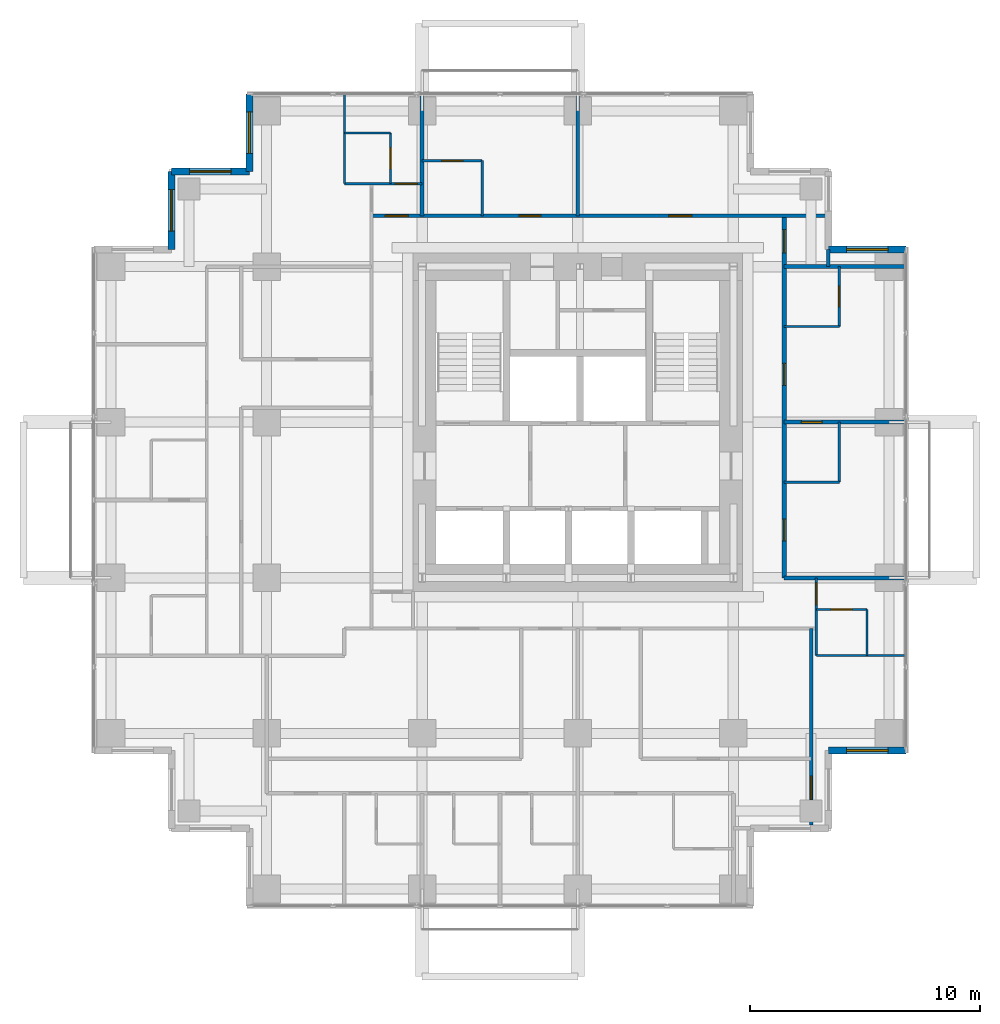
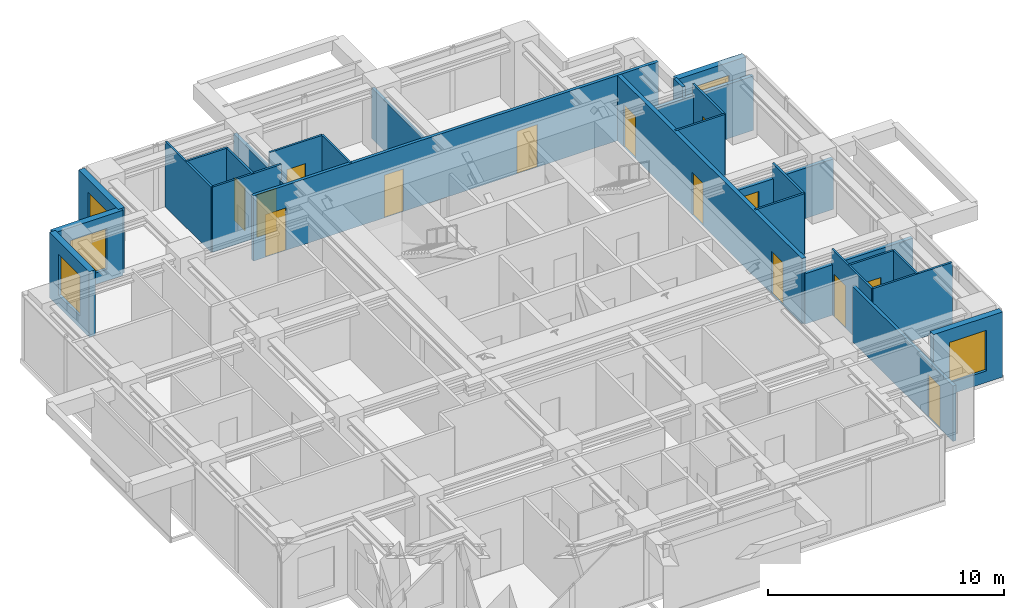
# One storey, part 8 of 10: 28 walls, 14 doors, 5 windows, 19 openings.
"""IFC4 building model written with IfcOpenShell, lengths in metres."""

from ifc_helpers import new_model, si_unit, direction, frame, frame_2d, origin, place, context, subcontext, project, spatial, rectangle, extrude, material, layer, layer_set, type_object, element, fill, save


model = new_model("IFC4")

# Units and contexts
model_context = context("Model", 3, precision=1e-05, world=origin(), true_north=direction((0.0, 1.0)))
body_context = subcontext(model_context, "Body", "Model", "MODEL_VIEW")
ifc_project = project(units=[si_unit("LENGTHUNIT", "METRE"), si_unit("AREAUNIT", "SQUARE_METRE"), si_unit("VOLUMEUNIT", "CUBIC_METRE"), si_unit("PLANEANGLEUNIT", "RADIAN"), si_unit("MASSUNIT", "GRAM", prefix="KILO")], contexts=[model_context])

# Site, building, storey
site_placement = place(None, origin())
site = spatial("IfcSite", under=ifc_project, at=site_placement, CompositionType="ELEMENT")
building_placement = place(site_placement, origin())
building = spatial("IfcBuilding", under=site, at=building_placement, Name="Nyansa Garden Tower", CompositionType="ELEMENT")
storey_placement = place(building_placement, frame((0.0, 0.0, 174.60009765625)))
storey = spatial("IfcBuildingStorey", under=building, at=storey_placement, Name="L47", CompositionType="ELEMENT", Elevation=174.60009765625)

# Walls
ifc_material_1 = material(Name="Dense blockwork, plastered both sides, 55 dB", Category="masonry")
ifc_layer_1 = layer(ifc_material_1, 0.175048828125)
ifc_layer_set_1 = layer_set([ifc_layer_1], Name="Acoustic party wall PW175")
wall_type_1 = type_object("IfcWallType", Name="Acoustic party wall PW175", PredefinedType="PARTITIONING", material=ifc_layer_set_1)
for number, where, z_axis, x_axis, name in (
    (1, (13.5, 29.199951171875, 0.0), (0.0, 0.0, 1.0), (0.0, 1.0, 0.0), "Party wall"),
    (2, (29.199951171875, 13.5, 0.0), (0.0, 0.0, 1.0), (1.0, 0.0, 0.0), "Party wall"),
):
    element("IfcWall", number, at=place(storey_placement, frame(where, z_axis=z_axis, x_axis=x_axis)), inside=storey, type_object=wall_type_1, Name=name, PredefinedType="PARTITIONING", context=body_context, shape_type="SweptSolid", body=[
        extrude(rectangle(XDim=5.283935546875, YDim=0.175048828125, at=frame_2d((2.64208984375, 0.0))), origin(), (0.0, 0.0, 1.0), 2.60986328125),
    ])

# Wall, opening, door
wall_1_placement = place(storey_placement, frame((29.199951171875, 20.25, 0.0), z_axis=(0.0, 0.0, 1.0), x_axis=(1.0, 0.0, 0.0)))
wall_1 = element("IfcWall", 3, at=wall_1_placement, inside=storey, type_object=wall_type_1, Name="Party wall", PredefinedType="PARTITIONING", context=body_context, shape_type="SweptSolid", body=[
    extrude(rectangle(XDim=5.283935546875, YDim=0.175048828125, at=frame_2d((2.64208984375, 0.0))), origin(), (0.0, 0.0, 1.0), 2.60986328125),
])
opening_1_placement = place(wall_1_placement, frame((0.75, 0.0, 0.0)))
opening_1 = element("IfcOpeningElement", 4, at=opening_1_placement, cuts=wall_1, Name="Opening D02", PredefinedType="OPENING", context=body_context, shape_type="SweptSolid", body=[
    extrude(rectangle(XDim=0.89990234375, YDim=2.199951171875, at=frame_2d((0.449951171875, 1.10009765625))), frame((0.0, 0.097412109375, 0.0), z_axis=(0.0, -1.0, 0.0), x_axis=(1.0, 0.0, 0.0)), (0.0, 0.0, 1.0), 0.195068359375),
])
ifc_material_2 = material(Name="Timber flush door", Category="wood")
door_type_1 = type_object("IfcDoorType", Name="En-suite door D02 900x2200", OperationType="SINGLE_SWING_RIGHT", PredefinedType="DOOR", material=ifc_material_2)
door_1_placement = place(opening_1_placement, origin())
door_1 = element("IfcDoor", 5, at=door_1_placement, inside=storey, type_object=door_type_1, Name="Door L47-035", OperationType="SINGLE_SWING_RIGHT", OverallHeight=2.199951171875, OverallWidth=0.89990234375, PredefinedType="DOOR", context=body_context, shape_type="SweptSolid", body=[
    extrude(rectangle(XDim=0.89990234375, YDim=2.199951171875, at=frame_2d((0.449951171875, 1.10009765625))), frame((0.0, 0.02490234375, 0.0), z_axis=(0.0, -1.0, 0.0), x_axis=(1.0, 0.0, 0.0)), (0.0, 0.0, 1.0), 0.050048828125),
])
fill(opening_1, door_1)

# Wall
wall_2_placement = place(storey_placement, frame((29.199951171875, 27.0, 0.0), z_axis=(0.0, 0.0, 1.0), x_axis=(1.0, 0.0, 0.0)))
element("IfcWall", 6, at=wall_2_placement, inside=storey, type_object=wall_type_1, Name="Party wall", PredefinedType="PARTITIONING", context=body_context, shape_type="SweptSolid", body=[
    extrude(rectangle(XDim=5.283935546875, YDim=0.175048828125, at=frame_2d((2.64208984375, 0.0))), origin(), (0.0, 0.0, 1.0), 2.805908203125),
])

# Wall, openings, doors
ifc_material_3 = material(Name="Concrete blockwork, plastered, 60 minute fire resisting", Category="masonry")
ifc_layer_2 = layer(ifc_material_3, 0.199951171875)
ifc_layer_set_2 = layer_set([ifc_layer_2], Name="Corridor wall FW200")
wall_type_2 = type_object("IfcWallType", Name="Corridor wall FW200", PredefinedType="PARTITIONING", material=ifc_layer_set_2)
wall_3_placement = place(storey_placement, frame((29.199951171875, 13.5, 0.0), z_axis=(0.0, 0.0, 1.0), x_axis=(0.0, 1.0, 0.0)))
wall_3 = element("IfcWall", 7, at=wall_3_placement, inside=storey, type_object=wall_type_2, Name="Corridor wall", PredefinedType="PARTITIONING", context=body_context, shape_type="SweptSolid", body=[
    extrude(rectangle(XDim=15.699951171875, YDim=0.199951171875, at=frame_2d((7.85009765625, 0.0))), origin(), (0.0, 0.0, 1.0), 3.375),
])
opening_2_placement = place(wall_3_placement, frame((8.35009765625, 0.0, 0.0)))
opening_2 = element("IfcOpeningElement", 8, at=opening_2_placement, cuts=wall_3, Name="Opening D14", PredefinedType="OPENING", context=body_context, shape_type="SweptSolid", body=[
    extrude(rectangle(XDim=0.949951171875, YDim=2.199951171875, at=frame_2d((0.47509765625, 1.10009765625))), frame((0.0, 0.10986328125, 0.0), z_axis=(0.0, -1.0, 0.0), x_axis=(1.0, 0.0, 0.0)), (0.0, 0.0, 1.0), 0.219970703125),
])
opening_3_placement = place(wall_3_placement, frame((1.60009765625, 0.0, 0.0)))
opening_3 = element("IfcOpeningElement", 9, at=opening_3_placement, cuts=wall_3, Name="Opening D14", PredefinedType="OPENING", context=body_context, shape_type="SweptSolid", body=[
    extrude(rectangle(XDim=0.949951171875, YDim=2.199951171875, at=frame_2d((0.47509765625, 1.10009765625))), frame((0.0, 0.10986328125, 0.0), z_axis=(0.0, -1.0, 0.0), x_axis=(1.0, 0.0, 0.0)), (0.0, 0.0, 1.0), 0.219970703125),
])
opening_4_placement = place(wall_3_placement, frame((14.10009765625, 0.0, 0.0)))
opening_4 = element("IfcOpeningElement", 10, at=opening_4_placement, cuts=wall_3, Name="Opening D03", PredefinedType="OPENING", context=body_context, shape_type="SweptSolid", body=[
    extrude(rectangle(XDim=1.0, YDim=2.199951171875, at=frame_2d((0.5, 1.10009765625))), frame((0.0, 0.10986328125, 0.0), z_axis=(0.0, -1.0, 0.0), x_axis=(1.0, 0.0, 0.0)), (0.0, 0.0, 1.0), 0.219970703125),
])
ifc_material_4 = material(Name="Timber flush door, 60 minute fire resisting", Category="wood")
door_type_2 = type_object("IfcDoorType", Name="Cluster entrance door D03 1000x2200", OperationType="SINGLE_SWING_LEFT", PredefinedType="DOOR", material=ifc_material_4)
door_2_placement = place(opening_4_placement, origin())
door_2 = element("IfcDoor", 11, at=door_2_placement, inside=storey, type_object=door_type_2, Name="Door L47-038", OperationType="SINGLE_SWING_LEFT", OverallHeight=2.199951171875, OverallWidth=1.0, PredefinedType="DOOR", context=body_context, shape_type="SweptSolid", body=[
    extrude(rectangle(XDim=1.0, YDim=2.199951171875, at=frame_2d((0.5, 1.10009765625))), frame((0.0, 0.02490234375, 0.0), z_axis=(0.0, -1.0, 0.0), x_axis=(1.0, 0.0, 0.0)), (0.0, 0.0, 1.0), 0.050048828125),
])
fill(opening_4, door_2)
ifc_material_5 = material(Name="Timber flush door, 60 minute fire resisting, self-closing", Category="wood")
door_type_3 = type_object("IfcDoorType", Name="Studio entrance door D14 950x2200", OperationType="SINGLE_SWING_LEFT", PredefinedType="DOOR", material=ifc_material_5)
door_3_placement = place(opening_2_placement, origin())
door_3 = element("IfcDoor", 12, at=door_3_placement, inside=storey, type_object=door_type_3, Name="Door L47-032", OperationType="SINGLE_SWING_LEFT", OverallHeight=2.199951171875, OverallWidth=0.949951171875, PredefinedType="DOOR", context=body_context, shape_type="SweptSolid", body=[
    extrude(rectangle(XDim=0.949951171875, YDim=2.199951171875, at=frame_2d((0.47509765625, 1.10009765625))), frame((0.0, 0.02490234375, 0.0), z_axis=(0.0, -1.0, 0.0), x_axis=(1.0, 0.0, 0.0)), (0.0, 0.0, 1.0), 0.050048828125),
])
fill(opening_2, door_3)
door_4_placement = place(opening_3_placement, origin())
door_4 = element("IfcDoor", 13, at=door_4_placement, inside=storey, type_object=door_type_3, Name="Door L47-034", OperationType="SINGLE_SWING_LEFT", OverallHeight=2.199951171875, OverallWidth=0.949951171875, PredefinedType="DOOR", context=body_context, shape_type="SweptSolid", body=[
    extrude(rectangle(XDim=0.949951171875, YDim=2.199951171875, at=frame_2d((0.47509765625, 1.10009765625))), frame((0.0, 0.02490234375, 0.0), z_axis=(0.0, -1.0, 0.0), x_axis=(1.0, 0.0, 0.0)), (0.0, 0.0, 1.0), 0.050048828125),
])
fill(opening_3, door_4)

ifc_material_6 = material(Name="Blockwork, plastered both sides", Category="masonry")
ifc_layer_3 = layer(ifc_material_6, 0.14990234375)
ifc_layer_set_3 = layer_set([ifc_layer_3], Name="Partition PW150")
wall_type_3 = type_object("IfcWallType", Name="Partition PW150", PredefinedType="PARTITIONING", material=ifc_layer_set_3)
wall_4_placement = place(storey_placement, frame((11.300048828125, 29.199951171875, 0.0), z_axis=(0.0, 0.0, 1.0), x_axis=(1.0, 0.0, 0.0)))
wall_4 = element("IfcWall", 14, at=wall_4_placement, inside=storey, type_object=wall_type_3, Name="Partition", PredefinedType="PARTITIONING", context=body_context, shape_type="SweptSolid", body=[
    extrude(rectangle(XDim=19.808837890625, YDim=0.14990234375, at=frame_2d((9.904296875, 0.0))), origin(), (0.0, 0.0, 1.0), 3.375),
])
opening_5_placement = place(wall_4_placement, frame((12.89990234375, 0.0, 0.0)))
opening_5 = element("IfcOpeningElement", 15, at=opening_5_placement, cuts=wall_4, Name="Opening D03", PredefinedType="OPENING", context=body_context, shape_type="SweptSolid", body=[
    extrude(rectangle(XDim=1.0, YDim=2.199951171875, at=frame_2d((0.5, 1.10009765625))), frame((0.0, 0.0849609375, 0.0), z_axis=(0.0, -1.0, 0.0), x_axis=(1.0, 0.0, 0.0)), (0.0, 0.0, 1.0), 0.169921875),
])
opening_6_placement = place(wall_4_placement, frame((6.39990234375, 0.0, 0.0)))
opening_6 = element("IfcOpeningElement", 16, at=opening_6_placement, cuts=wall_4, Name="Opening D14", PredefinedType="OPENING", context=body_context, shape_type="SweptSolid", body=[
    extrude(rectangle(XDim=0.949951171875, YDim=2.199951171875, at=frame_2d((0.47509765625, 1.10009765625))), frame((0.0, 0.0849609375, 0.0), z_axis=(0.0, -1.0, 0.0), x_axis=(1.0, 0.0, 0.0)), (0.0, 0.0, 1.0), 0.169921875),
])
opening_7_placement = place(wall_4_placement, frame((0.60009765625, 0.0, 0.0)))
opening_7 = element("IfcOpeningElement", 17, at=opening_7_placement, cuts=wall_4, Name="Opening D03", PredefinedType="OPENING", context=body_context, shape_type="SweptSolid", body=[
    extrude(rectangle(XDim=1.0, YDim=2.199951171875, at=frame_2d((0.5, 1.10009765625))), frame((0.0, 0.0849609375, 0.0), z_axis=(0.0, -1.0, 0.0), x_axis=(1.0, 0.0, 0.0)), (0.0, 0.0, 1.0), 0.169921875),
])
door_5_placement = place(opening_5_placement, origin())
door_5 = element("IfcDoor", 18, at=door_5_placement, inside=storey, type_object=door_type_2, Name="Door L47-039", OperationType="SINGLE_SWING_LEFT", OverallHeight=2.199951171875, OverallWidth=1.0, PredefinedType="DOOR", context=body_context, shape_type="SweptSolid", body=[
    extrude(rectangle(XDim=1.0, YDim=2.199951171875, at=frame_2d((0.5, 1.10009765625))), frame((0.0, 0.02490234375, 0.0), z_axis=(0.0, -1.0, 0.0), x_axis=(1.0, 0.0, 0.0)), (0.0, 0.0, 1.0), 0.050048828125),
])
fill(opening_5, door_5)
door_6_placement = place(opening_7_placement, origin())
door_6 = element("IfcDoor", 19, at=door_6_placement, inside=storey, type_object=door_type_2, Name="Door L47-044", OperationType="SINGLE_SWING_LEFT", OverallHeight=2.199951171875, OverallWidth=1.0, PredefinedType="DOOR", context=body_context, shape_type="SweptSolid", body=[
    extrude(rectangle(XDim=1.0, YDim=2.199951171875, at=frame_2d((0.5, 1.10009765625))), frame((0.0, 0.02490234375, 0.0), z_axis=(0.0, -1.0, 0.0), x_axis=(1.0, 0.0, 0.0)), (0.0, 0.0, 1.0), 0.050048828125),
])
fill(opening_7, door_6)
door_7_placement = place(opening_6_placement, origin())
door_7 = element("IfcDoor", 20, at=door_7_placement, inside=storey, type_object=door_type_3, Name="Door L47-040", OperationType="SINGLE_SWING_LEFT", OverallHeight=2.199951171875, OverallWidth=0.949951171875, PredefinedType="DOOR", context=body_context, shape_type="SweptSolid", body=[
    extrude(rectangle(XDim=0.949951171875, YDim=2.199951171875, at=frame_2d((0.47509765625, 1.10009765625))), frame((0.0, 0.02490234375, 0.0), z_axis=(0.0, -1.0, 0.0), x_axis=(1.0, 0.0, 0.0)), (0.0, 0.0, 1.0), 0.050048828125),
])
fill(opening_6, door_7)

# Wall
wall_5_placement = place(storey_placement, frame((20.25, 29.199951171875, 0.0), z_axis=(0.0, 0.0, 1.0), x_axis=(0.0, 1.0, 0.0)))
element("IfcWall", 21, at=wall_5_placement, inside=storey, type_object=wall_type_3, Name="Partition", PredefinedType="PARTITIONING", context=body_context, shape_type="SweptSolid", body=[
    extrude(rectangle(XDim=5.283935546875, YDim=0.14990234375, at=frame_2d((2.64208984375, 0.0))), origin(), (0.0, 0.0, 1.0), 2.60986328125),
])

# Wall, opening, door
wall_6_placement = place(storey_placement, frame((30.375, 2.77490234375, 0.0), z_axis=(0.0, 0.0, 1.0), x_axis=(0.0, 1.0, 0.0)))
wall_6 = element("IfcWall", 22, at=wall_6_placement, inside=storey, type_object=wall_type_3, Name="Partition", PredefinedType="PARTITIONING", context=body_context, shape_type="SweptSolid", body=[
    extrude(rectangle(XDim=8.525146484375, YDim=0.14990234375, at=frame_2d((4.2626953125, 0.0))), origin(), (0.0, 0.0, 1.0), 2.876953125),
])
opening_8_placement = place(wall_6_placement, frame((1.115966796875, 0.0, 0.0)))
opening_8 = element("IfcOpeningElement", 23, at=opening_8_placement, cuts=wall_6, Name="Opening D03", PredefinedType="OPENING", context=body_context, shape_type="SweptSolid", body=[
    extrude(rectangle(XDim=1.0, YDim=2.199951171875, at=frame_2d((0.5, 1.10009765625))), frame((0.0, 0.0849609375, 0.0), z_axis=(0.0, -1.0, 0.0), x_axis=(1.0, 0.0, 0.0)), (0.0, 0.0, 1.0), 0.169921875),
])
door_8_placement = place(opening_8_placement, origin())
door_8 = element("IfcDoor", 24, at=door_8_placement, inside=storey, type_object=door_type_2, Name="Door L47-031", OperationType="SINGLE_SWING_LEFT", OverallHeight=2.199951171875, OverallWidth=1.0, PredefinedType="DOOR", context=body_context, shape_type="SweptSolid", body=[
    extrude(rectangle(XDim=1.0, YDim=2.199951171875, at=frame_2d((0.5, 1.10009765625))), frame((0.0, 0.02490234375, 0.0), z_axis=(0.0, -1.0, 0.0), x_axis=(1.0, 0.0, 0.0)), (0.0, 0.0, 1.0), 0.050048828125),
])
fill(opening_8, door_8)

# Wall
wall_7_placement = place(storey_placement, frame((31.125, 27.0, 0.0), z_axis=(0.0, 0.0, 1.0), x_axis=(0.0, 1.0, 0.0)))
element("IfcWall", 25, at=wall_7_placement, inside=storey, type_object=wall_type_3, Name="Partition", PredefinedType="PARTITIONING", context=body_context, shape_type="SweptSolid", body=[
    extrude(rectangle(XDim=0.73388671875, YDim=0.14990234375, at=frame_2d((0.366943359375, 0.0))), origin(), (0.0, 0.0, 1.0), 3.375),
])

# Wall, opening, window
ifc_material_7 = material(Name="Turquoise glazed tile on concrete blockwork", Category="masonry")
ifc_layer_4 = layer(ifc_material_7, 0.300048828125)
ifc_layer_set_4 = layer_set([ifc_layer_4], Name="Tiled corner wall TW300")
wall_type_4 = type_object("IfcWallType", Name="Tiled corner wall TW300", PredefinedType="SOLIDWALL", material=ifc_layer_set_4)
wall_8_placement = place(storey_placement, frame((34.5, 27.75, 0.0), z_axis=(0.0, 0.0, 1.0), x_axis=(-1.0, 0.0, 0.0)))
wall_8 = element("IfcWall", 26, at=wall_8_placement, inside=storey, type_object=wall_type_4, Name="Tiled corner wall L47", PredefinedType="SOLIDWALL", context=body_context, shape_type="SweptSolid", body=[
    extrude(rectangle(XDim=3.375, YDim=0.300048828125, at=frame_2d((1.6875, 0.0))), origin(), (0.0, 0.0, 1.0), 3.375),
])
opening_9_placement = place(wall_8_placement, frame((0.78759765625, 0.0, 0.60009765625)))
opening_9 = element("IfcOpeningElement", 27, at=opening_9_placement, cuts=wall_8, Name="Opening W2", PredefinedType="OPENING", context=body_context, shape_type="SweptSolid", body=[
    extrude(rectangle(XDim=1.800048828125, YDim=2.10009765625, at=frame_2d((0.89990234375, 1.050048828125))), frame((0.0, 0.159912109375, 0.0), z_axis=(0.0, -1.0, 0.0), x_axis=(1.0, 0.0, 0.0)), (0.0, 0.0, 1.0), 0.320068359375),
])
ifc_material_8 = material(Name="Black aluminium frame, dark tinted double glazing", Category="aluminium")
window_type = type_object("IfcWindowType", Name="Window W2 1800x2100", PartitioningType="SINGLE_PANEL", PredefinedType="WINDOW", material=ifc_material_8)
window_1_placement = place(opening_9_placement, origin())
window_1 = element("IfcWindow", 28, at=window_1_placement, inside=storey, type_object=window_type, Name="Corner window L47", OverallHeight=2.10009765625, OverallWidth=1.800048828125, PartitioningType="SINGLE_PANEL", PredefinedType="WINDOW", context=body_context, shape_type="SweptSolid", body=[
    extrude(rectangle(XDim=1.800048828125, YDim=2.10009765625, at=frame_2d((0.89990234375, 1.050048828125))), frame((0.0, 0.030029296875, 0.0), z_axis=(0.0, -1.0, 0.0), x_axis=(1.0, 0.0, 0.0)), (0.0, 0.0, 1.0), 0.06005859375),
])
fill(opening_9, window_1)

wall_9_placement = place(storey_placement, frame((6.0, 34.5, 0.0), z_axis=(0.0, 0.0, 1.0), x_axis=(0.0, -1.0, 0.0)))
wall_9 = element("IfcWall", 29, at=wall_9_placement, inside=storey, type_object=wall_type_4, Name="Tiled corner wall L47", PredefinedType="SOLIDWALL", context=body_context, shape_type="SweptSolid", body=[
    extrude(rectangle(XDim=3.375, YDim=0.300048828125, at=frame_2d((1.6875, 0.0))), origin(), (0.0, 0.0, 1.0), 3.375),
])
opening_10_placement = place(wall_9_placement, frame((0.78759765625, 0.0, 0.60009765625)))
opening_10 = element("IfcOpeningElement", 30, at=opening_10_placement, cuts=wall_9, Name="Opening W2", PredefinedType="OPENING", context=body_context, shape_type="SweptSolid", body=[
    extrude(rectangle(XDim=1.800048828125, YDim=2.10009765625, at=frame_2d((0.89990234375, 1.050048828125))), frame((0.0, 0.159912109375, 0.0), z_axis=(0.0, -1.0, 0.0), x_axis=(1.0, 0.0, 0.0)), (0.0, 0.0, 1.0), 0.320068359375),
])
window_2_placement = place(opening_10_placement, origin())
window_2 = element("IfcWindow", 31, at=window_2_placement, inside=storey, type_object=window_type, Name="Corner window L47", OverallHeight=2.10009765625, OverallWidth=1.800048828125, PartitioningType="SINGLE_PANEL", PredefinedType="WINDOW", context=body_context, shape_type="SweptSolid", body=[
    extrude(rectangle(XDim=1.800048828125, YDim=2.10009765625, at=frame_2d((0.89990234375, 1.050048828125))), frame((0.0, 0.030029296875, 0.0), z_axis=(0.0, -1.0, 0.0), x_axis=(1.0, 0.0, 0.0)), (0.0, 0.0, 1.0), 0.06005859375),
])
fill(opening_10, window_2)

wall_10_placement = place(storey_placement, frame((6.0, 31.125, 0.0), z_axis=(0.0, 0.0, 1.0), x_axis=(-1.0, 0.0, 0.0)))
wall_10 = element("IfcWall", 32, at=wall_10_placement, inside=storey, type_object=wall_type_4, Name="Tiled corner wall L47", PredefinedType="SOLIDWALL", context=body_context, shape_type="SweptSolid", body=[
    extrude(rectangle(XDim=3.375, YDim=0.300048828125, at=frame_2d((1.6875, 0.0))), origin(), (0.0, 0.0, 1.0), 3.375),
])
opening_11_placement = place(wall_10_placement, frame((0.78759765625, 0.0, 0.60009765625)))
opening_11 = element("IfcOpeningElement", 33, at=opening_11_placement, cuts=wall_10, Name="Opening W2", PredefinedType="OPENING", context=body_context, shape_type="SweptSolid", body=[
    extrude(rectangle(XDim=1.800048828125, YDim=2.10009765625, at=frame_2d((0.89990234375, 1.050048828125))), frame((0.0, 0.159912109375, 0.0), z_axis=(0.0, -1.0, 0.0), x_axis=(1.0, 0.0, 0.0)), (0.0, 0.0, 1.0), 0.320068359375),
])
window_3_placement = place(opening_11_placement, origin())
window_3 = element("IfcWindow", 34, at=window_3_placement, inside=storey, type_object=window_type, Name="Corner window L47", OverallHeight=2.10009765625, OverallWidth=1.800048828125, PartitioningType="SINGLE_PANEL", PredefinedType="WINDOW", context=body_context, shape_type="SweptSolid", body=[
    extrude(rectangle(XDim=1.800048828125, YDim=2.10009765625, at=frame_2d((0.89990234375, 1.050048828125))), frame((0.0, 0.030029296875, 0.0), z_axis=(0.0, -1.0, 0.0), x_axis=(1.0, 0.0, 0.0)), (0.0, 0.0, 1.0), 0.06005859375),
])
fill(opening_11, window_3)

wall_11_placement = place(storey_placement, frame((2.625, 31.125, 0.0), z_axis=(0.0, 0.0, 1.0), x_axis=(0.0, -1.0, 0.0)))
wall_11 = element("IfcWall", 35, at=wall_11_placement, inside=storey, type_object=wall_type_4, Name="Tiled corner wall L47", PredefinedType="SOLIDWALL", context=body_context, shape_type="SweptSolid", body=[
    extrude(rectangle(XDim=3.375, YDim=0.300048828125, at=frame_2d((1.6875, 0.0))), origin(), (0.0, 0.0, 1.0), 3.375),
])
opening_12_placement = place(wall_11_placement, frame((0.78759765625, 0.0, 0.60009765625)))
opening_12 = element("IfcOpeningElement", 36, at=opening_12_placement, cuts=wall_11, Name="Opening W2", PredefinedType="OPENING", context=body_context, shape_type="SweptSolid", body=[
    extrude(rectangle(XDim=1.800048828125, YDim=2.10009765625, at=frame_2d((0.89990234375, 1.050048828125))), frame((0.0, 0.159912109375, 0.0), z_axis=(0.0, -1.0, 0.0), x_axis=(1.0, 0.0, 0.0)), (0.0, 0.0, 1.0), 0.320068359375),
])
window_4_placement = place(opening_12_placement, origin())
window_4 = element("IfcWindow", 37, at=window_4_placement, inside=storey, type_object=window_type, Name="Corner window L47", OverallHeight=2.10009765625, OverallWidth=1.800048828125, PartitioningType="SINGLE_PANEL", PredefinedType="WINDOW", context=body_context, shape_type="SweptSolid", body=[
    extrude(rectangle(XDim=1.800048828125, YDim=2.10009765625, at=frame_2d((0.89990234375, 1.050048828125))), frame((0.0, 0.030029296875, 0.0), z_axis=(0.0, -1.0, 0.0), x_axis=(1.0, 0.0, 0.0)), (0.0, 0.0, 1.0), 0.06005859375),
])
fill(opening_12, window_4)

wall_12_placement = place(storey_placement, frame((31.125, 6.0, 0.0), z_axis=(0.0, 0.0, 1.0), x_axis=(1.0, 0.0, 0.0)))
wall_12 = element("IfcWall", 38, at=wall_12_placement, inside=storey, type_object=wall_type_4, Name="Tiled corner wall L47", PredefinedType="SOLIDWALL", context=body_context, shape_type="SweptSolid", body=[
    extrude(rectangle(XDim=3.375, YDim=0.300048828125, at=frame_2d((1.6875, 0.0))), origin(), (0.0, 0.0, 1.0), 3.375),
])
opening_13_placement = place(wall_12_placement, frame((0.78759765625, 0.0, 0.60009765625)))
opening_13 = element("IfcOpeningElement", 39, at=opening_13_placement, cuts=wall_12, Name="Opening W2", PredefinedType="OPENING", context=body_context, shape_type="SweptSolid", body=[
    extrude(rectangle(XDim=1.800048828125, YDim=2.10009765625, at=frame_2d((0.89990234375, 1.050048828125))), frame((0.0, 0.159912109375, 0.0), z_axis=(0.0, -1.0, 0.0), x_axis=(1.0, 0.0, 0.0)), (0.0, 0.0, 1.0), 0.320068359375),
])
window_5_placement = place(opening_13_placement, origin())
window_5 = element("IfcWindow", 40, at=window_5_placement, inside=storey, type_object=window_type, Name="Corner window L47", OverallHeight=2.10009765625, OverallWidth=1.800048828125, PartitioningType="SINGLE_PANEL", PredefinedType="WINDOW", context=body_context, shape_type="SweptSolid", body=[
    extrude(rectangle(XDim=1.800048828125, YDim=2.10009765625, at=frame_2d((0.89990234375, 1.050048828125))), frame((0.0, 0.030029296875, 0.0), z_axis=(0.0, -1.0, 0.0), x_axis=(1.0, 0.0, 0.0)), (0.0, 0.0, 1.0), 0.06005859375),
])
fill(opening_13, window_5)

# Wall
ifc_material_9 = material(Name="Moisture resistant board on steel studs, tiled", Category="steel")
ifc_layer_5 = layer(ifc_material_9, 0.10009765625)
ifc_layer_set_5 = layer_set([ifc_layer_5], Name="Wet wall PW100")
wall_type_5 = type_object("IfcWallType", Name="Wet wall PW100", PredefinedType="PARTITIONING", material=ifc_layer_set_5)
wall_13_placement = place(storey_placement, frame((10.125, 30.60009765625, 0.0), z_axis=(0.0, 0.0, 1.0), x_axis=(0.0, 1.0, 0.0)))
element("IfcWall", 41, at=wall_13_placement, inside=storey, type_object=wall_type_5, Name="Wet wall", PredefinedType="PARTITIONING", context=body_context, shape_type="SweptSolid", body=[
    extrude(rectangle(XDim=3.8837890625, YDim=0.10009765625, at=frame_2d((1.94189453125, 0.0))), origin(), (0.0, 0.0, 1.0), 3.375),
])

# Wall, opening, door
wall_14_placement = place(storey_placement, frame((10.125, 30.60009765625, 0.0), z_axis=(0.0, 0.0, 1.0), x_axis=(1.0, 0.0, 0.0)))
wall_14 = element("IfcWall", 42, at=wall_14_placement, inside=storey, type_object=wall_type_5, Name="Wet wall", PredefinedType="PARTITIONING", context=body_context, shape_type="SweptSolid", body=[
    extrude(rectangle(XDim=3.375, YDim=0.10009765625, at=frame_2d((1.6875, 0.0))), origin(), (0.0, 0.0, 1.0), 3.375),
])
opening_14_placement = place(wall_14_placement, frame((2.199951171875, 0.0, 0.0)))
opening_14 = element("IfcOpeningElement", 43, at=opening_14_placement, cuts=wall_14, Name="Opening D14", PredefinedType="OPENING", context=body_context, shape_type="SweptSolid", body=[
    extrude(rectangle(XDim=0.949951171875, YDim=2.199951171875, at=frame_2d((0.47509765625, 1.10009765625))), frame((0.0, 0.06005859375, 0.0), z_axis=(0.0, -1.0, 0.0), x_axis=(1.0, 0.0, 0.0)), (0.0, 0.0, 1.0), 0.1201171875),
])
door_9_placement = place(opening_14_placement, origin())
door_9 = element("IfcDoor", 44, at=door_9_placement, inside=storey, type_object=door_type_3, Name="Door L47-042", OperationType="SINGLE_SWING_LEFT", OverallHeight=2.199951171875, OverallWidth=0.949951171875, PredefinedType="DOOR", context=body_context, shape_type="SweptSolid", body=[
    extrude(rectangle(XDim=0.949951171875, YDim=2.199951171875, at=frame_2d((0.47509765625, 1.10009765625))), frame((0.0, 0.02490234375, 0.0), z_axis=(0.0, -1.0, 0.0), x_axis=(1.0, 0.0, 0.0)), (0.0, 0.0, 1.0), 0.050048828125),
])
fill(opening_14, door_9)

# Wall
wall_15_placement = place(storey_placement, frame((10.125, 32.800048828125, 0.0), z_axis=(0.0, 0.0, 1.0), x_axis=(1.0, 0.0, 0.0)))
element("IfcWall", 45, at=wall_15_placement, inside=storey, type_object=wall_type_5, Name="Wet wall", PredefinedType="PARTITIONING", context=body_context, shape_type="SweptSolid", body=[
    extrude(rectangle(XDim=2.0, YDim=0.10009765625, at=frame_2d((1.0, 0.0))), origin(), (0.0, 0.0, 1.0), 3.375),
])

# Wall, opening, door
wall_16_placement = place(storey_placement, frame((12.125, 30.60009765625, 0.0), z_axis=(0.0, 0.0, 1.0), x_axis=(0.0, 1.0, 0.0)))
wall_16 = element("IfcWall", 46, at=wall_16_placement, inside=storey, type_object=wall_type_5, Name="Wet wall", PredefinedType="PARTITIONING", context=body_context, shape_type="SweptSolid", body=[
    extrude(rectangle(XDim=2.199951171875, YDim=0.10009765625, at=frame_2d((1.10009765625, 0.0))), origin(), (0.0, 0.0, 1.0), 3.375),
])
opening_15_placement = place(wall_16_placement, frame((0.64990234375, 0.0, 0.0)))
opening_15 = element("IfcOpeningElement", 47, at=opening_15_placement, cuts=wall_16, Name="Opening D02", PredefinedType="OPENING", context=body_context, shape_type="SweptSolid", body=[
    extrude(rectangle(XDim=0.89990234375, YDim=2.199951171875, at=frame_2d((0.449951171875, 1.10009765625))), frame((0.0, 0.06005859375, 0.0), z_axis=(0.0, -1.0, 0.0), x_axis=(1.0, 0.0, 0.0)), (0.0, 0.0, 1.0), 0.1201171875),
])
door_10_placement = place(opening_15_placement, origin())
door_10 = element("IfcDoor", 48, at=door_10_placement, inside=storey, type_object=door_type_1, Name="Door L47-043", OperationType="SINGLE_SWING_RIGHT", OverallHeight=2.199951171875, OverallWidth=0.89990234375, PredefinedType="DOOR", context=body_context, shape_type="SweptSolid", body=[
    extrude(rectangle(XDim=0.89990234375, YDim=2.199951171875, at=frame_2d((0.449951171875, 1.10009765625))), frame((0.0, 0.02490234375, 0.0), z_axis=(0.0, -1.0, 0.0), x_axis=(1.0, 0.0, 0.0)), (0.0, 0.0, 1.0), 0.050048828125),
])
fill(opening_15, door_10)

wall_17_placement = place(storey_placement, frame((13.5, 31.60009765625, 0.0), z_axis=(0.0, 0.0, 1.0), x_axis=(1.0, 0.0, 0.0)))
wall_17 = element("IfcWall", 49, at=wall_17_placement, inside=storey, type_object=wall_type_5, Name="Wet wall", PredefinedType="PARTITIONING", context=body_context, shape_type="SweptSolid", body=[
    extrude(rectangle(XDim=2.60009765625, YDim=0.10009765625, at=frame_2d((1.300048828125, 0.0))), origin(), (0.0, 0.0, 1.0), 3.375),
])
opening_16_placement = place(wall_17_placement, frame((0.85009765625, 0.0, 0.0)))
opening_16 = element("IfcOpeningElement", 50, at=opening_16_placement, cuts=wall_17, Name="Opening D02", PredefinedType="OPENING", context=body_context, shape_type="SweptSolid", body=[
    extrude(rectangle(XDim=0.89990234375, YDim=2.199951171875, at=frame_2d((0.449951171875, 1.10009765625))), frame((0.0, 0.06005859375, 0.0), z_axis=(0.0, -1.0, 0.0), x_axis=(1.0, 0.0, 0.0)), (0.0, 0.0, 1.0), 0.1201171875),
])
door_11_placement = place(opening_16_placement, origin())
door_11 = element("IfcDoor", 51, at=door_11_placement, inside=storey, type_object=door_type_1, Name="Door L47-041", OperationType="SINGLE_SWING_RIGHT", OverallHeight=2.199951171875, OverallWidth=0.89990234375, PredefinedType="DOOR", context=body_context, shape_type="SweptSolid", body=[
    extrude(rectangle(XDim=0.89990234375, YDim=2.199951171875, at=frame_2d((0.449951171875, 1.10009765625))), frame((0.0, 0.02490234375, 0.0), z_axis=(0.0, -1.0, 0.0), x_axis=(1.0, 0.0, 0.0)), (0.0, 0.0, 1.0), 0.050048828125),
])
fill(opening_16, door_11)

# Walls
for number, where, z_axis, x_axis, name in (
    (52, (16.10009765625, 29.199951171875, 0.0), (0.0, 0.0, 1.0), (0.0, 1.0, 0.0), "Wet wall"),
    (53, (29.199951171875, 17.64990234375, 0.0), (0.0, 0.0, 1.0), (1.0, 0.0, 0.0), "Wet wall"),
    (54, (29.199951171875, 24.39990234375, 0.0), (0.0, 0.0, 1.0), (1.0, 0.0, 0.0), "Wet wall"),
):
    element("IfcWall", number, at=place(storey_placement, frame(where, z_axis=z_axis, x_axis=x_axis)), inside=storey, type_object=wall_type_5, Name=name, PredefinedType="PARTITIONING", context=body_context, shape_type="SweptSolid", body=[
        extrude(rectangle(XDim=2.400146484375, YDim=0.10009765625, at=frame_2d((1.2001953125, 0.0))), origin(), (0.0, 0.0, 1.0), 3.375),
    ])

# Wall, opening, door
wall_18_placement = place(storey_placement, frame((30.60009765625, 10.125, 0.0), z_axis=(0.0, 0.0, 1.0), x_axis=(0.0, 1.0, 0.0)))
wall_18 = element("IfcWall", 55, at=wall_18_placement, inside=storey, type_object=wall_type_5, Name="Wet wall", PredefinedType="PARTITIONING", context=body_context, shape_type="SweptSolid", body=[
    extrude(rectangle(XDim=3.375, YDim=0.10009765625, at=frame_2d((1.6875, 0.0))), origin(), (0.0, 0.0, 1.0), 3.375),
])
opening_17_placement = place(wall_18_placement, frame((2.199951171875, 0.0, 0.0)))
opening_17 = element("IfcOpeningElement", 56, at=opening_17_placement, cuts=wall_18, Name="Opening D14", PredefinedType="OPENING", context=body_context, shape_type="SweptSolid", body=[
    extrude(rectangle(XDim=0.949951171875, YDim=2.199951171875, at=frame_2d((0.47509765625, 1.10009765625))), frame((0.0, 0.06005859375, 0.0), z_axis=(0.0, -1.0, 0.0), x_axis=(1.0, 0.0, 0.0)), (0.0, 0.0, 1.0), 0.1201171875),
])
door_12_placement = place(opening_17_placement, origin())
door_12 = element("IfcDoor", 57, at=door_12_placement, inside=storey, type_object=door_type_3, Name="Door L47-036", OperationType="SINGLE_SWING_LEFT", OverallHeight=2.199951171875, OverallWidth=0.949951171875, PredefinedType="DOOR", context=body_context, shape_type="SweptSolid", body=[
    extrude(rectangle(XDim=0.949951171875, YDim=2.199951171875, at=frame_2d((0.47509765625, 1.10009765625))), frame((0.0, 0.02490234375, 0.0), z_axis=(0.0, -1.0, 0.0), x_axis=(1.0, 0.0, 0.0)), (0.0, 0.0, 1.0), 0.050048828125),
])
fill(opening_17, door_12)

# Wall
wall_19_placement = place(storey_placement, frame((30.60009765625, 10.125, 0.0), z_axis=(0.0, 0.0, 1.0), x_axis=(1.0, 0.0, 0.0)))
element("IfcWall", 58, at=wall_19_placement, inside=storey, type_object=wall_type_5, Name="Wet wall", PredefinedType="PARTITIONING", context=body_context, shape_type="SweptSolid", body=[
    extrude(rectangle(XDim=3.8837890625, YDim=0.10009765625, at=frame_2d((1.94189453125, 0.0))), origin(), (0.0, 0.0, 1.0), 3.375),
])

# Wall, opening, door
wall_20_placement = place(storey_placement, frame((30.60009765625, 12.125, 0.0), z_axis=(0.0, 0.0, 1.0), x_axis=(1.0, 0.0, 0.0)))
wall_20 = element("IfcWall", 59, at=wall_20_placement, inside=storey, type_object=wall_type_5, Name="Wet wall", PredefinedType="PARTITIONING", context=body_context, shape_type="SweptSolid", body=[
    extrude(rectangle(XDim=2.199951171875, YDim=0.10009765625, at=frame_2d((1.10009765625, 0.0))), origin(), (0.0, 0.0, 1.0), 3.375),
])
opening_18_placement = place(wall_20_placement, frame((0.64990234375, 0.0, 0.0)))
opening_18 = element("IfcOpeningElement", 60, at=opening_18_placement, cuts=wall_20, Name="Opening D02", PredefinedType="OPENING", context=body_context, shape_type="SweptSolid", body=[
    extrude(rectangle(XDim=0.89990234375, YDim=2.199951171875, at=frame_2d((0.449951171875, 1.10009765625))), frame((0.0, 0.06005859375, 0.0), z_axis=(0.0, -1.0, 0.0), x_axis=(1.0, 0.0, 0.0)), (0.0, 0.0, 1.0), 0.1201171875),
])
door_13_placement = place(opening_18_placement, origin())
door_13 = element("IfcDoor", 61, at=door_13_placement, inside=storey, type_object=door_type_1, Name="Door L47-037", OperationType="SINGLE_SWING_RIGHT", OverallHeight=2.199951171875, OverallWidth=0.89990234375, PredefinedType="DOOR", context=body_context, shape_type="SweptSolid", body=[
    extrude(rectangle(XDim=0.89990234375, YDim=2.199951171875, at=frame_2d((0.449951171875, 1.10009765625))), frame((0.0, 0.02490234375, 0.0), z_axis=(0.0, -1.0, 0.0), x_axis=(1.0, 0.0, 0.0)), (0.0, 0.0, 1.0), 0.050048828125),
])
fill(opening_18, door_13)

# Wall
wall_21_placement = place(storey_placement, frame((31.60009765625, 17.64990234375, 0.0), z_axis=(0.0, 0.0, 1.0), x_axis=(0.0, 1.0, 0.0)))
element("IfcWall", 62, at=wall_21_placement, inside=storey, type_object=wall_type_5, Name="Wet wall", PredefinedType="PARTITIONING", context=body_context, shape_type="SweptSolid", body=[
    extrude(rectangle(XDim=2.60009765625, YDim=0.10009765625, at=frame_2d((1.300048828125, 0.0))), origin(), (0.0, 0.0, 1.0), 3.375),
])

# Wall, opening, door
wall_22_placement = place(storey_placement, frame((31.60009765625, 24.39990234375, 0.0), z_axis=(0.0, 0.0, 1.0), x_axis=(0.0, 1.0, 0.0)))
wall_22 = element("IfcWall", 63, at=wall_22_placement, inside=storey, type_object=wall_type_5, Name="Wet wall", PredefinedType="PARTITIONING", context=body_context, shape_type="SweptSolid", body=[
    extrude(rectangle(XDim=2.60009765625, YDim=0.10009765625, at=frame_2d((1.300048828125, 0.0))), origin(), (0.0, 0.0, 1.0), 3.375),
])
opening_19_placement = place(wall_22_placement, frame((0.85009765625, 0.0, 0.0)))
opening_19 = element("IfcOpeningElement", 64, at=opening_19_placement, cuts=wall_22, Name="Opening D02", PredefinedType="OPENING", context=body_context, shape_type="SweptSolid", body=[
    extrude(rectangle(XDim=0.89990234375, YDim=2.199951171875, at=frame_2d((0.449951171875, 1.10009765625))), frame((0.0, 0.06005859375, 0.0), z_axis=(0.0, -1.0, 0.0), x_axis=(1.0, 0.0, 0.0)), (0.0, 0.0, 1.0), 0.1201171875),
])
door_14_placement = place(opening_19_placement, origin())
door_14 = element("IfcDoor", 65, at=door_14_placement, inside=storey, type_object=door_type_1, Name="Door L47-033", OperationType="SINGLE_SWING_RIGHT", OverallHeight=2.199951171875, OverallWidth=0.89990234375, PredefinedType="DOOR", context=body_context, shape_type="SweptSolid", body=[
    extrude(rectangle(XDim=0.89990234375, YDim=2.199951171875, at=frame_2d((0.449951171875, 1.10009765625))), frame((0.0, 0.02490234375, 0.0), z_axis=(0.0, -1.0, 0.0), x_axis=(1.0, 0.0, 0.0)), (0.0, 0.0, 1.0), 0.050048828125),
])
fill(opening_19, door_14)

# Wall
wall_23_placement = place(storey_placement, frame((32.800048828125, 10.125, 0.0), z_axis=(0.0, 0.0, 1.0), x_axis=(0.0, 1.0, 0.0)))
element("IfcWall", 66, at=wall_23_placement, inside=storey, type_object=wall_type_5, Name="Wet wall", PredefinedType="PARTITIONING", context=body_context, shape_type="SweptSolid", body=[
    extrude(rectangle(XDim=2.0, YDim=0.10009765625, at=frame_2d((1.0, 0.0))), origin(), (0.0, 0.0, 1.0), 3.375),
])

save(model, "model.ifc")
